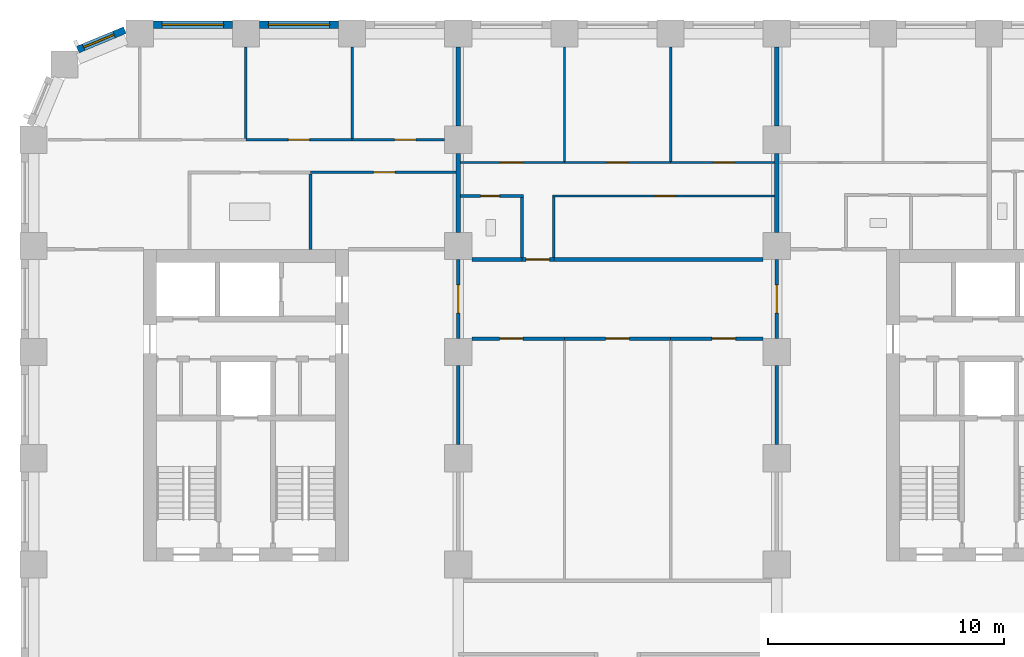
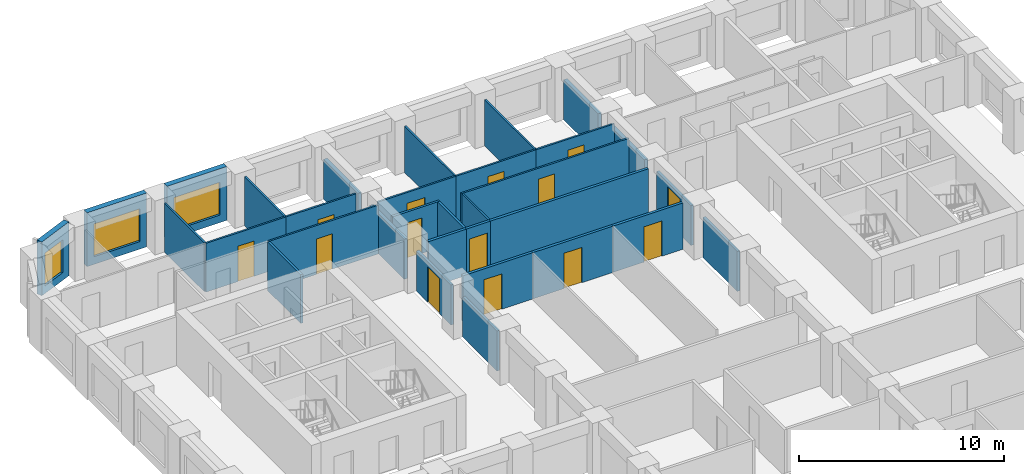
# One storey, part 7 of 13: 32 walls, 14 doors, 3 windows, 17 openings.
"""IFC4 building model written with IfcOpenShell, lengths in metres."""

from ifc_helpers import new_model, si_unit, direction, frame, frame_2d, origin, place, context, subcontext, project, spatial, rectangle, extrude, material, layer, layer_set, type_object, element, fill, save


model = new_model("IFC4")

# Units and contexts
model_context = context("Model", 3, precision=1e-05, world=origin(), true_north=direction((0.0, 1.0)))
body_context = subcontext(model_context, "Body", "Model", "MODEL_VIEW")
ifc_project = project(units=[si_unit("LENGTHUNIT", "METRE"), si_unit("AREAUNIT", "SQUARE_METRE"), si_unit("VOLUMEUNIT", "CUBIC_METRE"), si_unit("PLANEANGLEUNIT", "RADIAN"), si_unit("MASSUNIT", "GRAM", prefix="KILO")], contexts=[model_context])

# Site, building, storey
site_placement = place(None, origin())
site = spatial("IfcSite", under=ifc_project, at=site_placement, CompositionType="ELEMENT")
building_placement = place(site_placement, origin())
building = spatial("IfcBuilding", under=site, at=building_placement, Name="Girih Gate Residences", CompositionType="ELEMENT")
storey_placement = place(building_placement, frame((0.0, 0.0, 96.0)))
storey = spatial("IfcBuildingStorey", under=building, at=storey_placement, Name="L26", CompositionType="ELEMENT", Elevation=96.0)

# Wall
ifc_material_1 = material(Name="Gypsum board on steel studs", Category="steel")
ifc_layer_1 = layer(ifc_material_1, 0.14990234375)
ifc_layer_set_1 = layer_set([ifc_layer_1], Name="Compartment wall 150 mm")
wall_type_1 = type_object("IfcWallType", Name="Compartment wall 150 mm", PredefinedType="PARTITIONING", material=ifc_layer_set_1)
wall_1_placement = place(storey_placement, frame((18.574951171875, 39.925048828125, 0.0), z_axis=(0.0, 0.0, 1.0), x_axis=(1.0, 0.0, 0.0)))
element("IfcWall", 1, at=wall_1_placement, inside=storey, type_object=wall_type_1, Name="L26 partition", PredefinedType="PARTITIONING", context=body_context, shape_type="SweptSolid", body=[
    extrude(rectangle(XDim=2.125, YDim=0.14990234375, at=frame_2d((1.0625, 0.0))), origin(), (0.0, 0.0, 1.0), 2.75),
])

# Wall, opening, door
wall_2_placement = place(storey_placement, frame((20.699951171875, 39.925048828125, 0.0), z_axis=(0.0, 0.0, 1.0), x_axis=(1.0, 0.0, 0.0)))
wall_2 = element("IfcWall", 2, at=wall_2_placement, inside=storey, type_object=wall_type_1, Name="L26 partition", PredefinedType="PARTITIONING", context=body_context, shape_type="SweptSolid", body=[
    extrude(rectangle(XDim=1.35009765625, YDim=0.14990234375, at=frame_2d((0.675048828125, 0.0))), origin(), (0.0, 0.0, 1.0), 2.75),
])
opening_1_placement = place(wall_2_placement, frame((0.175048828125, 0.0, 0.0)))
opening_1 = element("IfcOpeningElement", 3, at=opening_1_placement, cuts=wall_2, Name="Opening A26-040", PredefinedType="OPENING", context=body_context, shape_type="SweptSolid", body=[
    extrude(rectangle(XDim=1.0, YDim=2.10009765625, at=frame_2d((0.5, 1.050048828125))), frame((0.0, 0.0849609375, 0.0), z_axis=(0.0, -1.0, 0.0), x_axis=(1.0, 0.0, 0.0)), (0.0, 0.0, 1.0), 0.169921875),
])
ifc_material_2 = material(Name="Timber, fire-rated core", Category="wood")
door_type_1 = type_object("IfcDoorType", Name="Flat entrance door 1000x2100 FD30S", OperationType="NOTDEFINED", PredefinedType="DOOR", material=ifc_material_2)
door_1_placement = place(opening_1_placement, origin())
door_1 = element("IfcDoor", 4, at=door_1_placement, inside=storey, type_object=door_type_1, Name="Door A26-040", OperationType="SINGLE_SWING_RIGHT", OverallHeight=2.10009765625, OverallWidth=1.0, PredefinedType="DOOR", context=body_context, shape_type="SweptSolid", body=[
    extrude(rectangle(XDim=1.0, YDim=2.10009765625, at=frame_2d((0.5, 1.050048828125))), frame((0.0, 0.02490234375, 0.0), z_axis=(0.0, -1.0, 0.0), x_axis=(1.0, 0.0, 0.0)), (0.0, 0.0, 1.0), 0.050048828125),
])
fill(opening_1, door_1)

# Wall
wall_3_placement = place(storey_placement, frame((22.050048828125, 39.925048828125, 0.0), z_axis=(0.0, 0.0, 1.0), x_axis=(1.0, 0.0, 0.0)))
element("IfcWall", 5, at=wall_3_placement, inside=storey, type_object=wall_type_1, Name="L26 partition", PredefinedType="PARTITIONING", context=body_context, shape_type="SweptSolid", body=[
    extrude(rectangle(XDim=8.875, YDim=0.14990234375, at=frame_2d((4.4375, 0.0))), origin(), (0.0, 0.0, 1.0), 2.75),
])

# Wall, opening, door
wall_4_placement = place(storey_placement, frame((22.5, 36.574951171875, 0.0), z_axis=(0.0, 0.0, 1.0), x_axis=(-1.0, 0.0, 0.0)))
wall_4 = element("IfcWall", 6, at=wall_4_placement, inside=storey, type_object=wall_type_1, Name="L26 partition", PredefinedType="PARTITIONING", context=body_context, shape_type="SweptSolid", body=[
    extrude(rectangle(XDim=3.925048828125, YDim=0.14990234375, at=frame_2d((1.96240234375, 0.0))), origin(), (0.0, 0.0, 1.0), 2.75),
])
opening_2_placement = place(wall_4_placement, frame((1.75, 0.0, 0.0)))
opening_2 = element("IfcOpeningElement", 7, at=opening_2_placement, cuts=wall_4, Name="Opening A26-041", PredefinedType="OPENING", context=body_context, shape_type="SweptSolid", body=[
    extrude(rectangle(XDim=1.0, YDim=2.10009765625, at=frame_2d((0.5, 1.050048828125))), frame((0.0, 0.0849609375, 0.0), z_axis=(0.0, -1.0, 0.0), x_axis=(1.0, 0.0, 0.0)), (0.0, 0.0, 1.0), 0.169921875),
])
door_type_2 = type_object("IfcDoorType", Name="Amenity room door 1000x2100 FD30S", OperationType="NOTDEFINED", PredefinedType="DOOR", material=ifc_material_2)
door_2_placement = place(opening_2_placement, origin())
door_2 = element("IfcDoor", 8, at=door_2_placement, inside=storey, type_object=door_type_2, Name="Door A26-041", OperationType="SINGLE_SWING_RIGHT", OverallHeight=2.10009765625, OverallWidth=1.0, PredefinedType="DOOR", context=body_context, shape_type="SweptSolid", body=[
    extrude(rectangle(XDim=1.0, YDim=2.10009765625, at=frame_2d((0.5, 1.050048828125))), frame((0.0, 0.02490234375, 0.0), z_axis=(0.0, -1.0, 0.0), x_axis=(1.0, 0.0, 0.0)), (0.0, 0.0, 1.0), 0.050048828125),
])
fill(opening_2, door_2)

wall_5_placement = place(storey_placement, frame((27.0, 36.574951171875, 0.0), z_axis=(0.0, 0.0, 1.0), x_axis=(-1.0, 0.0, 0.0)))
wall_5 = element("IfcWall", 9, at=wall_5_placement, inside=storey, type_object=wall_type_1, Name="L26 partition", PredefinedType="PARTITIONING", context=body_context, shape_type="SweptSolid", body=[
    extrude(rectangle(XDim=4.5, YDim=0.14990234375, at=frame_2d((2.25, 0.0))), origin(), (0.0, 0.0, 1.0), 2.75),
])
opening_3_placement = place(wall_5_placement, frame((1.75, 0.0, 0.0)))
opening_3 = element("IfcOpeningElement", 10, at=opening_3_placement, cuts=wall_5, Name="Opening A26-042", PredefinedType="OPENING", context=body_context, shape_type="SweptSolid", body=[
    extrude(rectangle(XDim=1.0, YDim=2.10009765625, at=frame_2d((0.5, 1.050048828125))), frame((0.0, 0.0849609375, 0.0), z_axis=(0.0, -1.0, 0.0), x_axis=(1.0, 0.0, 0.0)), (0.0, 0.0, 1.0), 0.169921875),
])
door_3_placement = place(opening_3_placement, origin())
door_3 = element("IfcDoor", 11, at=door_3_placement, inside=storey, type_object=door_type_2, Name="Door A26-042", OperationType="SINGLE_SWING_RIGHT", OverallHeight=2.10009765625, OverallWidth=1.0, PredefinedType="DOOR", context=body_context, shape_type="SweptSolid", body=[
    extrude(rectangle(XDim=1.0, YDim=2.10009765625, at=frame_2d((0.5, 1.050048828125))), frame((0.0, 0.02490234375, 0.0), z_axis=(0.0, -1.0, 0.0), x_axis=(1.0, 0.0, 0.0)), (0.0, 0.0, 1.0), 0.050048828125),
])
fill(opening_3, door_3)

wall_6_placement = place(storey_placement, frame((30.925048828125, 36.574951171875, 0.0), z_axis=(0.0, 0.0, 1.0), x_axis=(-1.0, 0.0, 0.0)))
wall_6 = element("IfcWall", 12, at=wall_6_placement, inside=storey, type_object=wall_type_1, Name="L26 partition", PredefinedType="PARTITIONING", context=body_context, shape_type="SweptSolid", body=[
    extrude(rectangle(XDim=3.925048828125, YDim=0.14990234375, at=frame_2d((1.96240234375, 0.0))), origin(), (0.0, 0.0, 1.0), 2.75),
])
opening_4_placement = place(wall_6_placement, frame((1.175048828125, 0.0, 0.0)))
opening_4 = element("IfcOpeningElement", 13, at=opening_4_placement, cuts=wall_6, Name="Opening A26-043", PredefinedType="OPENING", context=body_context, shape_type="SweptSolid", body=[
    extrude(rectangle(XDim=1.0, YDim=2.10009765625, at=frame_2d((0.5, 1.050048828125))), frame((0.0, 0.0849609375, 0.0), z_axis=(0.0, -1.0, 0.0), x_axis=(1.0, 0.0, 0.0)), (0.0, 0.0, 1.0), 0.169921875),
])
door_4_placement = place(opening_4_placement, origin())
door_4 = element("IfcDoor", 14, at=door_4_placement, inside=storey, type_object=door_type_2, Name="Door A26-043", OperationType="SINGLE_SWING_LEFT", OverallHeight=2.10009765625, OverallWidth=1.0, PredefinedType="DOOR", context=body_context, shape_type="SweptSolid", body=[
    extrude(rectangle(XDim=1.0, YDim=2.10009765625, at=frame_2d((0.5, 1.050048828125))), frame((0.0, 0.02490234375, 0.0), z_axis=(0.0, -1.0, 0.0), x_axis=(1.0, 0.0, 0.0)), (0.0, 0.0, 1.0), 0.050048828125),
])
fill(opening_4, door_4)

wall_7_placement = place(storey_placement, frame((31.5, 36.574951171875, 0.0), z_axis=(0.0, 0.0, 1.0), x_axis=(0.0, 1.0, 0.0)))
wall_7 = element("IfcWall", 15, at=wall_7_placement, inside=storey, type_object=wall_type_1, Name="L26 partition", PredefinedType="PARTITIONING", context=body_context, shape_type="SweptSolid", body=[
    extrude(rectangle(XDim=3.35009765625, YDim=0.14990234375, at=frame_2d((1.675048828125, 0.0))), origin(), (0.0, 0.0, 1.0), 2.3798828125),
])
opening_5_placement = place(wall_7_placement, frame((1.074951171875, 0.0, 0.0)))
opening_5 = element("IfcOpeningElement", 16, at=opening_5_placement, cuts=wall_7, Name="Opening A26-044", PredefinedType="OPENING", context=body_context, shape_type="SweptSolid", body=[
    extrude(rectangle(XDim=1.199951171875, YDim=2.10009765625, at=frame_2d((0.60009765625, 1.050048828125))), frame((0.0, 0.0849609375, 0.0), z_axis=(0.0, -1.0, 0.0), x_axis=(1.0, 0.0, 0.0)), (0.0, 0.0, 1.0), 0.169921875),
])
door_type_3 = type_object("IfcDoorType", Name="Corridor fire door 1200x2100 FD30S", OperationType="NOTDEFINED", PredefinedType="DOOR", material=ifc_material_2)
door_5_placement = place(opening_5_placement, origin())
door_5 = element("IfcDoor", 17, at=door_5_placement, inside=storey, type_object=door_type_3, Name="Door A26-044", OperationType="SINGLE_SWING_LEFT", OverallHeight=2.10009765625, OverallWidth=1.199951171875, PredefinedType="DOOR", context=body_context, shape_type="SweptSolid", body=[
    extrude(rectangle(XDim=1.199951171875, YDim=2.10009765625, at=frame_2d((0.60009765625, 1.050048828125))), frame((0.0, 0.02490234375, 0.0), z_axis=(0.0, -1.0, 0.0), x_axis=(1.0, 0.0, 0.0)), (0.0, 0.0, 1.0), 0.050048828125),
])
fill(opening_5, door_5)

wall_8_placement = place(storey_placement, frame((18.0, 39.925048828125, 0.0), z_axis=(0.0, 0.0, 1.0), x_axis=(0.0, -1.0, 0.0)))
wall_8 = element("IfcWall", 18, at=wall_8_placement, inside=storey, type_object=wall_type_1, Name="L26 partition", PredefinedType="PARTITIONING", context=body_context, shape_type="SweptSolid", body=[
    extrude(rectangle(XDim=3.35009765625, YDim=0.14990234375, at=frame_2d((1.675048828125, 0.0))), origin(), (0.0, 0.0, 1.0), 2.3798828125),
])
opening_6_placement = place(wall_8_placement, frame((1.074951171875, 0.0, 0.0)))
opening_6 = element("IfcOpeningElement", 19, at=opening_6_placement, cuts=wall_8, Name="Opening A26-045", PredefinedType="OPENING", context=body_context, shape_type="SweptSolid", body=[
    extrude(rectangle(XDim=1.199951171875, YDim=2.10009765625, at=frame_2d((0.60009765625, 1.050048828125))), frame((0.0, 0.0849609375, 0.0), z_axis=(0.0, -1.0, 0.0), x_axis=(1.0, 0.0, 0.0)), (0.0, 0.0, 1.0), 0.169921875),
])
door_6_placement = place(opening_6_placement, origin())
door_6 = element("IfcDoor", 20, at=door_6_placement, inside=storey, type_object=door_type_3, Name="Door A26-045", OperationType="SINGLE_SWING_LEFT", OverallHeight=2.10009765625, OverallWidth=1.199951171875, PredefinedType="DOOR", context=body_context, shape_type="SweptSolid", body=[
    extrude(rectangle(XDim=1.199951171875, YDim=2.10009765625, at=frame_2d((0.60009765625, 1.050048828125))), frame((0.0, 0.02490234375, 0.0), z_axis=(0.0, -1.0, 0.0), x_axis=(1.0, 0.0, 0.0)), (0.0, 0.0, 1.0), 0.050048828125),
])
fill(opening_6, door_6)

# Walls
for number, where, z_axis, x_axis, name in (
    (21, (18.0, 32.074951171875, 0.0), (0.0, 0.0, 1.0), (0.0, 1.0, 0.0), "L26 partition"),
    (22, (31.5, 32.074951171875, 0.0), (0.0, 0.0, 1.0), (0.0, 1.0, 0.0), "L26 partition"),
):
    element("IfcWall", number, at=place(storey_placement, frame(where, z_axis=z_axis, x_axis=x_axis)), inside=storey, type_object=wall_type_1, Name=name, PredefinedType="PARTITIONING", context=body_context, shape_type="SweptSolid", body=[
        extrude(rectangle(XDim=3.35009765625, YDim=0.14990234375, at=frame_2d((1.675048828125, 0.0))), origin(), (0.0, 0.0, 1.0), 2.3798828125),
    ])
ifc_layer_2 = layer(ifc_material_1, 0.10009765625)
ifc_layer_set_2 = layer_set([ifc_layer_2], Name="Partition 100 mm")
wall_type_2 = type_object("IfcWallType", Name="Partition 100 mm", PredefinedType="PARTITIONING", material=ifc_layer_set_2)
for number, where, z_axis, x_axis, name in (
    (23, (9.0, 45.050048828125, 0.0), (0.0, 0.0, 1.0), (0.0, 1.0, 0.0), "L26 partition"),
    (24, (13.5, 45.050048828125, 0.0), (0.0, 0.0, 1.0), (0.0, 1.0, 0.0), "L26 partition"),
):
    element("IfcWall", number, at=place(storey_placement, frame(where, z_axis=z_axis, x_axis=x_axis)), inside=storey, type_object=wall_type_2, Name=name, PredefinedType="PARTITIONING", context=body_context, shape_type="SweptSolid", body=[
        extrude(rectangle(XDim=3.875, YDim=0.10009765625, at=frame_2d((1.9375, 0.0))), origin(), (0.0, 0.0, 1.0), 2.89990234375),
    ])

# Wall, opening, door
wall_9_placement = place(storey_placement, frame((9.0, 45.0, 0.0), z_axis=(0.0, 0.0, 1.0), x_axis=(1.0, 0.0, 0.0)))
wall_9 = element("IfcWall", 25, at=wall_9_placement, inside=storey, type_object=wall_type_2, Name="L26 partition", PredefinedType="PARTITIONING", context=body_context, shape_type="SweptSolid", body=[
    extrude(rectangle(XDim=4.5, YDim=0.10009765625, at=frame_2d((2.25, 0.0))), origin(), (0.0, 0.0, 1.0), 2.89990234375),
])
opening_7_placement = place(wall_9_placement, frame((1.800048828125, 0.0, 0.0)))
opening_7 = element("IfcOpeningElement", 26, at=opening_7_placement, cuts=wall_9, Name="Opening A26-010", PredefinedType="OPENING", context=body_context, shape_type="SweptSolid", body=[
    extrude(rectangle(XDim=0.89990234375, YDim=2.10009765625, at=frame_2d((0.449951171875, 1.050048828125))), frame((0.0, 0.06005859375, 0.0), z_axis=(0.0, -1.0, 0.0), x_axis=(1.0, 0.0, 0.0)), (0.0, 0.0, 1.0), 0.1201171875),
])
ifc_material_3 = material(Name="Timber", Category="wood")
door_type_4 = type_object("IfcDoorType", Name="Bedroom door 900x2100", OperationType="NOTDEFINED", PredefinedType="DOOR", material=ifc_material_3)
door_7_placement = place(opening_7_placement, origin())
door_7 = element("IfcDoor", 27, at=door_7_placement, inside=storey, type_object=door_type_4, Name="Door A26-010", OperationType="SINGLE_SWING_LEFT", OverallHeight=2.10009765625, OverallWidth=0.89990234375, PredefinedType="DOOR", context=body_context, shape_type="SweptSolid", body=[
    extrude(rectangle(XDim=0.89990234375, YDim=2.10009765625, at=frame_2d((0.449951171875, 1.050048828125))), frame((0.0, 0.02490234375, 0.0), z_axis=(0.0, -1.0, 0.0), x_axis=(1.0, 0.0, 0.0)), (0.0, 0.0, 1.0), 0.050048828125),
])
fill(opening_7, door_7)

wall_10_placement = place(storey_placement, frame((13.5, 45.0, 0.0), z_axis=(0.0, 0.0, 1.0), x_axis=(1.0, 0.0, 0.0)))
wall_10 = element("IfcWall", 28, at=wall_10_placement, inside=storey, type_object=wall_type_2, Name="L26 partition", PredefinedType="PARTITIONING", context=body_context, shape_type="SweptSolid", body=[
    extrude(rectangle(XDim=3.925048828125, YDim=0.10009765625, at=frame_2d((1.96240234375, 0.0))), origin(), (0.0, 0.0, 1.0), 2.89990234375),
])
opening_8_placement = place(wall_10_placement, frame((1.800048828125, 0.0, 0.0)))
opening_8 = element("IfcOpeningElement", 29, at=opening_8_placement, cuts=wall_10, Name="Opening A26-011", PredefinedType="OPENING", context=body_context, shape_type="SweptSolid", body=[
    extrude(rectangle(XDim=0.89990234375, YDim=2.10009765625, at=frame_2d((0.449951171875, 1.050048828125))), frame((0.0, 0.06005859375, 0.0), z_axis=(0.0, -1.0, 0.0), x_axis=(1.0, 0.0, 0.0)), (0.0, 0.0, 1.0), 0.1201171875),
])
door_8_placement = place(opening_8_placement, origin())
door_8 = element("IfcDoor", 30, at=door_8_placement, inside=storey, type_object=door_type_4, Name="Door A26-011", OperationType="SINGLE_SWING_RIGHT", OverallHeight=2.10009765625, OverallWidth=0.89990234375, PredefinedType="DOOR", context=body_context, shape_type="SweptSolid", body=[
    extrude(rectangle(XDim=0.89990234375, YDim=2.10009765625, at=frame_2d((0.449951171875, 1.050048828125))), frame((0.0, 0.02490234375, 0.0), z_axis=(0.0, -1.0, 0.0), x_axis=(1.0, 0.0, 0.0)), (0.0, 0.0, 1.0), 0.050048828125),
])
fill(opening_8, door_8)

wall_11_placement = place(storey_placement, frame((17.89990234375, 43.6201171875, 0.0), z_axis=(0.0, 0.0, 1.0), x_axis=(-1.0, 0.0, 0.0)))
wall_11 = element("IfcWall", 31, at=wall_11_placement, inside=storey, type_object=wall_type_2, Name="L26 partition", PredefinedType="PARTITIONING", context=body_context, shape_type="SweptSolid", body=[
    extrude(rectangle(XDim=6.171875, YDim=0.10009765625, at=frame_2d((3.0859375, 0.0))), origin(), (0.0, 0.0, 1.0), 2.89990234375),
])
opening_9_placement = place(wall_11_placement, frame((2.5859375, 0.0, 0.0)))
opening_9 = element("IfcOpeningElement", 32, at=opening_9_placement, cuts=wall_11, Name="Opening A26-012", PredefinedType="OPENING", context=body_context, shape_type="SweptSolid", body=[
    extrude(rectangle(XDim=0.89990234375, YDim=2.10009765625, at=frame_2d((0.449951171875, 1.050048828125))), frame((0.0, 0.06005859375, 0.0), z_axis=(0.0, -1.0, 0.0), x_axis=(1.0, 0.0, 0.0)), (0.0, 0.0, 1.0), 0.1201171875),
])
door_type_5 = type_object("IfcDoorType", Name="Kitchen door 900x2100", OperationType="NOTDEFINED", PredefinedType="DOOR", material=ifc_material_3)
door_9_placement = place(opening_9_placement, origin())
door_9 = element("IfcDoor", 33, at=door_9_placement, inside=storey, type_object=door_type_5, Name="Door A26-012", OperationType="SINGLE_SWING_LEFT", OverallHeight=2.10009765625, OverallWidth=0.89990234375, PredefinedType="DOOR", context=body_context, shape_type="SweptSolid", body=[
    extrude(rectangle(XDim=0.89990234375, YDim=2.10009765625, at=frame_2d((0.449951171875, 1.050048828125))), frame((0.0, 0.02490234375, 0.0), z_axis=(0.0, -1.0, 0.0), x_axis=(1.0, 0.0, 0.0)), (0.0, 0.0, 1.0), 0.050048828125),
])
fill(opening_9, door_9)

# Wall
wall_12_placement = place(storey_placement, frame((27.0, 44.0849609375, 0.0), z_axis=(0.0, 0.0, 1.0), x_axis=(0.0, 1.0, 0.0)))
element("IfcWall", 34, at=wall_12_placement, inside=storey, type_object=wall_type_2, Name="L26 partition", PredefinedType="PARTITIONING", context=body_context, shape_type="SweptSolid", body=[
    extrude(rectangle(XDim=4.840087890625, YDim=0.10009765625, at=frame_2d((2.419921875, 0.0))), origin(), (0.0, 0.0, 1.0), 2.75),
])

# Wall, opening, door
wall_13_placement = place(storey_placement, frame((22.5, 44.034912109375, 0.0), z_axis=(0.0, 0.0, 1.0), x_axis=(1.0, 0.0, 0.0)))
wall_13 = element("IfcWall", 35, at=wall_13_placement, inside=storey, type_object=wall_type_2, Name="L26 partition", PredefinedType="PARTITIONING", context=body_context, shape_type="SweptSolid", body=[
    extrude(rectangle(XDim=4.5, YDim=0.10009765625, at=frame_2d((2.25, 0.0))), origin(), (0.0, 0.0, 1.0), 2.75),
])
opening_10_placement = place(wall_13_placement, frame((1.800048828125, 0.0, 0.0)))
opening_10 = element("IfcOpeningElement", 36, at=opening_10_placement, cuts=wall_13, Name="Opening A26-036", PredefinedType="OPENING", context=body_context, shape_type="SweptSolid", body=[
    extrude(rectangle(XDim=0.89990234375, YDim=2.10009765625, at=frame_2d((0.449951171875, 1.050048828125))), frame((0.0, 0.06005859375, 0.0), z_axis=(0.0, -1.0, 0.0), x_axis=(1.0, 0.0, 0.0)), (0.0, 0.0, 1.0), 0.1201171875),
])
door_10_placement = place(opening_10_placement, origin())
door_10 = element("IfcDoor", 37, at=door_10_placement, inside=storey, type_object=door_type_4, Name="Door A26-036", OperationType="SINGLE_SWING_LEFT", OverallHeight=2.10009765625, OverallWidth=0.89990234375, PredefinedType="DOOR", context=body_context, shape_type="SweptSolid", body=[
    extrude(rectangle(XDim=0.89990234375, YDim=2.10009765625, at=frame_2d((0.449951171875, 1.050048828125))), frame((0.0, 0.02490234375, 0.0), z_axis=(0.0, -1.0, 0.0), x_axis=(1.0, 0.0, 0.0)), (0.0, 0.0, 1.0), 0.050048828125),
])
fill(opening_10, door_10)

# Wall
wall_14_placement = place(storey_placement, frame((22.5, 44.0849609375, 0.0), z_axis=(0.0, 0.0, 1.0), x_axis=(0.0, 1.0, 0.0)))
element("IfcWall", 38, at=wall_14_placement, inside=storey, type_object=wall_type_2, Name="L26 partition", PredefinedType="PARTITIONING", context=body_context, shape_type="SweptSolid", body=[
    extrude(rectangle(XDim=4.840087890625, YDim=0.10009765625, at=frame_2d((2.419921875, 0.0))), origin(), (0.0, 0.0, 1.0), 2.75),
])

# Wall, opening, door
wall_15_placement = place(storey_placement, frame((27.0, 44.034912109375, 0.0), z_axis=(0.0, 0.0, 1.0), x_axis=(1.0, 0.0, 0.0)))
wall_15 = element("IfcWall", 39, at=wall_15_placement, inside=storey, type_object=wall_type_2, Name="L26 partition", PredefinedType="PARTITIONING", context=body_context, shape_type="SweptSolid", body=[
    extrude(rectangle(XDim=4.39990234375, YDim=0.10009765625, at=frame_2d((2.199951171875, 0.0))), origin(), (0.0, 0.0, 1.0), 2.75),
])
opening_11_placement = place(wall_15_placement, frame((1.800048828125, 0.0, 0.0)))
opening_11 = element("IfcOpeningElement", 40, at=opening_11_placement, cuts=wall_15, Name="Opening A26-037", PredefinedType="OPENING", context=body_context, shape_type="SweptSolid", body=[
    extrude(rectangle(XDim=0.89990234375, YDim=2.10009765625, at=frame_2d((0.449951171875, 1.050048828125))), frame((0.0, 0.06005859375, 0.0), z_axis=(0.0, -1.0, 0.0), x_axis=(1.0, 0.0, 0.0)), (0.0, 0.0, 1.0), 0.1201171875),
])
door_11_placement = place(opening_11_placement, origin())
door_11 = element("IfcDoor", 41, at=door_11_placement, inside=storey, type_object=door_type_4, Name="Door A26-037", OperationType="SINGLE_SWING_RIGHT", OverallHeight=2.10009765625, OverallWidth=0.89990234375, PredefinedType="DOOR", context=body_context, shape_type="SweptSolid", body=[
    extrude(rectangle(XDim=0.89990234375, YDim=2.10009765625, at=frame_2d((0.449951171875, 1.050048828125))), frame((0.0, 0.02490234375, 0.0), z_axis=(0.0, -1.0, 0.0), x_axis=(1.0, 0.0, 0.0)), (0.0, 0.0, 1.0), 0.050048828125),
])
fill(opening_11, door_11)

wall_16_placement = place(storey_placement, frame((31.39990234375, 42.614990234375, 0.0), z_axis=(0.0, 0.0, 1.0), x_axis=(-1.0, 0.0, 0.0)))
wall_16 = element("IfcWall", 42, at=wall_16_placement, inside=storey, type_object=wall_type_2, Name="L26 partition", PredefinedType="PARTITIONING", context=body_context, shape_type="SweptSolid", body=[
    extrude(rectangle(XDim=9.39990234375, YDim=0.10009765625, at=frame_2d((4.699951171875, 0.0))), origin(), (0.0, 0.0, 1.0), 2.75),
])
opening_12_placement = place(wall_16_placement, frame((4.175048828125, 0.0, 0.0)))
opening_12 = element("IfcOpeningElement", 43, at=opening_12_placement, cuts=wall_16, Name="Opening A26-038", PredefinedType="OPENING", context=body_context, shape_type="SweptSolid", body=[
    extrude(rectangle(XDim=0.89990234375, YDim=2.10009765625, at=frame_2d((0.449951171875, 1.050048828125))), frame((0.0, 0.06005859375, 0.0), z_axis=(0.0, -1.0, 0.0), x_axis=(1.0, 0.0, 0.0)), (0.0, 0.0, 1.0), 0.1201171875),
])
door_12_placement = place(opening_12_placement, origin())
door_12 = element("IfcDoor", 44, at=door_12_placement, inside=storey, type_object=door_type_5, Name="Door A26-038", OperationType="SINGLE_SWING_LEFT", OverallHeight=2.10009765625, OverallWidth=0.89990234375, PredefinedType="DOOR", context=body_context, shape_type="SweptSolid", body=[
    extrude(rectangle(XDim=0.89990234375, YDim=2.10009765625, at=frame_2d((0.449951171875, 1.050048828125))), frame((0.0, 0.02490234375, 0.0), z_axis=(0.0, -1.0, 0.0), x_axis=(1.0, 0.0, 0.0)), (0.0, 0.0, 1.0), 0.050048828125),
])
fill(opening_12, door_12)

# Wall
wall_17_placement = place(storey_placement, frame((22.050048828125, 40.0, 0.0), z_axis=(0.0, 0.0, 1.0), x_axis=(0.0, 1.0, 0.0)))
element("IfcWall", 45, at=wall_17_placement, inside=storey, type_object=wall_type_2, Name="L26 partition", PredefinedType="PARTITIONING", context=body_context, shape_type="SweptSolid", body=[
    extrude(rectangle(XDim=2.56494140625, YDim=0.10009765625, at=frame_2d((1.282470703125, 0.0))), origin(), (0.0, 0.0, 1.0), 2.75),
])

# Wall, opening, door
wall_18_placement = place(storey_placement, frame((18.10009765625, 44.034912109375, 0.0), z_axis=(0.0, 0.0, 1.0), x_axis=(1.0, 0.0, 0.0)))
wall_18 = element("IfcWall", 46, at=wall_18_placement, inside=storey, type_object=wall_type_2, Name="L26 partition", PredefinedType="PARTITIONING", context=body_context, shape_type="SweptSolid", body=[
    extrude(rectangle(XDim=4.39990234375, YDim=0.10009765625, at=frame_2d((2.199951171875, 0.0))), origin(), (0.0, 0.0, 1.0), 2.75),
])
opening_13_placement = place(wall_18_placement, frame((1.64990234375, 0.0, 0.0)))
opening_13 = element("IfcOpeningElement", 47, at=opening_13_placement, cuts=wall_18, Name="Opening A26-039", PredefinedType="OPENING", context=body_context, shape_type="SweptSolid", body=[
    extrude(rectangle(XDim=1.0, YDim=2.10009765625, at=frame_2d((0.5, 1.050048828125))), frame((0.0, 0.06005859375, 0.0), z_axis=(0.0, -1.0, 0.0), x_axis=(1.0, 0.0, 0.0)), (0.0, 0.0, 1.0), 0.1201171875),
])
door_type_6 = type_object("IfcDoorType", Name="Living room door 1000x2100", OperationType="NOTDEFINED", PredefinedType="DOOR", material=ifc_material_3)
door_13_placement = place(opening_13_placement, origin())
door_13 = element("IfcDoor", 48, at=door_13_placement, inside=storey, type_object=door_type_6, Name="Door A26-039", OperationType="SINGLE_SWING_LEFT", OverallHeight=2.10009765625, OverallWidth=1.0, PredefinedType="DOOR", context=body_context, shape_type="SweptSolid", body=[
    extrude(rectangle(XDim=1.0, YDim=2.10009765625, at=frame_2d((0.5, 1.050048828125))), frame((0.0, 0.02490234375, 0.0), z_axis=(0.0, -1.0, 0.0), x_axis=(1.0, 0.0, 0.0)), (0.0, 0.0, 1.0), 0.050048828125),
])
fill(opening_13, door_13)

# Walls
ifc_layer_3 = layer(ifc_material_1, 0.199951171875)
ifc_layer_set_3 = layer_set([ifc_layer_3], Name="Party wall 200 mm")
wall_type_3 = type_object("IfcWallType", Name="Party wall 200 mm", PredefinedType="PARTITIONING", material=ifc_layer_set_3)
for number, where, z_axis, x_axis, name in (
    (49, (18.0, 45.574951171875, 0.0), (0.0, 0.0, 1.0), (0.0, 1.0, 0.0), "L26 partition"),
    (50, (18.0, 41.074951171875, 0.0), (0.0, 0.0, 1.0), (0.0, 1.0, 0.0), "L26 partition"),
    (51, (31.5, 41.074951171875, 0.0), (0.0, 0.0, 1.0), (0.0, 1.0, 0.0), "L26 partition"),
    (52, (31.5, 45.574951171875, 0.0), (0.0, 0.0, 1.0), (0.0, 1.0, 0.0), "L26 partition"),
):
    element("IfcWall", number, at=place(storey_placement, frame(where, z_axis=z_axis, x_axis=x_axis)), inside=storey, type_object=wall_type_3, Name=name, PredefinedType="PARTITIONING", context=body_context, shape_type="SweptSolid", body=[
        extrude(rectangle(XDim=3.35009765625, YDim=0.199951171875, at=frame_2d((1.675048828125, 0.0))), origin(), (0.0, 0.0, 1.0), 2.3798828125),
    ])

# Wall, opening, window
ifc_material_4 = material(Name="Precast concrete C50/60", Category="concrete")
ifc_layer_4 = layer(ifc_material_4, 0.080078125, Name="Outer leaf")
ifc_material_5 = material(Name="Rigid PIR insulation")
ifc_layer_5 = layer(ifc_material_5, 0.14990234375, Name="Insulation")
ifc_material_6 = material(Name="Precast concrete C40/50", Category="concrete")
ifc_layer_6 = layer(ifc_material_6, 0.070068359375, Name="Inner leaf")
ifc_layer_set_4 = layer_set([ifc_layer_4, ifc_layer_5, ifc_layer_6], Name="Precast concrete C50/60 external wall 300")
wall_type_4 = type_object("IfcWallType", Name="Precast concrete C50/60 external wall 300", PredefinedType="SOLIDWALL", material=ifc_layer_set_4)
wall_19_placement = place(storey_placement, frame((9.574951171875, 49.875, 0.0), z_axis=(0.0, 0.0, 1.0), x_axis=(1.0, 0.0, 0.0)))
wall_19 = element("IfcWall", 53, at=wall_19_placement, inside=storey, type_object=wall_type_4, Name="External wall N0450_0495.7", PredefinedType="SOLIDWALL", context=body_context, shape_type="SweptSolid", body=[
    extrude(rectangle(XDim=3.35009765625, YDim=0.300048828125, at=frame_2d((1.675048828125, 0.0))), origin(), (0.0, 0.0, 1.0), 3.199951171875),
])
opening_14_placement = place(wall_19_placement, frame((0.375, 0.0, 0.449951171875)))
opening_14 = element("IfcOpeningElement", 54, at=opening_14_placement, cuts=wall_19, Name="Opening W-1A", PredefinedType="OPENING", context=body_context, shape_type="SweptSolid", body=[
    extrude(rectangle(XDim=2.60009765625, YDim=1.949951171875, at=frame_2d((1.300048828125, 0.97509765625))), frame((0.0, 0.159912109375, 0.0), z_axis=(0.0, -1.0, 0.0), x_axis=(1.0, 0.0, 0.0)), (0.0, 0.0, 1.0), 0.320068359375),
])
ifc_material_7 = material(Name="Double glazing in aluminium frame", Category="aluminium")
window_type_1 = type_object("IfcWindowType", Name="Window W-1A 2600x1950", PartitioningType="SINGLE_PANEL", PredefinedType="WINDOW", material=ifc_material_7)
window_1_placement = place(opening_14_placement, origin())
window_1 = element("IfcWindow", 55, at=window_1_placement, inside=storey, type_object=window_type_1, Name="Window W-1A N0450_0495.7", OverallHeight=1.949951171875, OverallWidth=2.60009765625, PartitioningType="SINGLE_PANEL", PredefinedType="WINDOW", context=body_context, shape_type="SweptSolid", body=[
    extrude(rectangle(XDim=2.60009765625, YDim=1.949951171875, at=frame_2d((1.300048828125, 0.97509765625))), frame((0.0, 0.030029296875, 0.0), z_axis=(0.0, -1.0, 0.0), x_axis=(1.0, 0.0, 0.0)), (0.0, 0.0, 1.0), 0.06005859375),
])
fill(opening_14, window_1)

wall_20_placement = place(storey_placement, frame((5.074951171875, 49.875, 0.0), z_axis=(0.0, 0.0, 1.0), x_axis=(1.0, 0.0, 0.0)))
wall_20 = element("IfcWall", 56, at=wall_20_placement, inside=storey, type_object=wall_type_4, Name="External wall N0450_0495.8", PredefinedType="SOLIDWALL", context=body_context, shape_type="SweptSolid", body=[
    extrude(rectangle(XDim=3.35009765625, YDim=0.300048828125, at=frame_2d((1.675048828125, 0.0))), origin(), (0.0, 0.0, 1.0), 3.199951171875),
])
opening_15_placement = place(wall_20_placement, frame((0.375, 0.0, 0.449951171875)))
opening_15 = element("IfcOpeningElement", 57, at=opening_15_placement, cuts=wall_20, Name="Opening W-1A", PredefinedType="OPENING", context=body_context, shape_type="SweptSolid", body=[
    extrude(rectangle(XDim=2.60009765625, YDim=1.949951171875, at=frame_2d((1.300048828125, 0.97509765625))), frame((0.0, 0.159912109375, 0.0), z_axis=(0.0, -1.0, 0.0), x_axis=(1.0, 0.0, 0.0)), (0.0, 0.0, 1.0), 0.320068359375),
])
window_2_placement = place(opening_15_placement, origin())
window_2 = element("IfcWindow", 58, at=window_2_placement, inside=storey, type_object=window_type_1, Name="Window W-1A N0450_0495.8", OverallHeight=1.949951171875, OverallWidth=2.60009765625, PartitioningType="SINGLE_PANEL", PredefinedType="WINDOW", context=body_context, shape_type="SweptSolid", body=[
    extrude(rectangle(XDim=2.60009765625, YDim=1.949951171875, at=frame_2d((1.300048828125, 0.97509765625))), frame((0.0, 0.030029296875, 0.0), z_axis=(0.0, -1.0, 0.0), x_axis=(1.0, 0.0, 0.0)), (0.0, 0.0, 1.0), 0.06005859375),
])
fill(opening_15, window_2)

wall_21_placement = place(storey_placement, frame((1.86865234375, 48.81591796875, 0.0), z_axis=(0.0, 0.0, 1.0), x_axis=(0.923862802911, 0.382723818695, 0.0)))
wall_21 = element("IfcWall", 59, at=wall_21_placement, inside=storey, type_object=wall_type_4, Name="External wall NW0045_0495.0", PredefinedType="SOLIDWALL", context=body_context, shape_type="SweptSolid", body=[
    extrude(rectangle(XDim=2.163818359375, YDim=0.300048828125, at=frame_2d((1.08203125, 0.0))), origin(), (0.0, 0.0, 1.0), 3.199951171875),
])
opening_16_placement = place(wall_21_placement, frame((0.270751953125, 0.0, 0.449951171875)))
opening_16 = element("IfcOpeningElement", 60, at=opening_16_placement, cuts=wall_21, Name="Opening W-2D", PredefinedType="OPENING", context=body_context, shape_type="SweptSolid", body=[
    extrude(rectangle(XDim=1.39990234375, YDim=1.949951171875, at=frame_2d((0.699951171875, 0.97509765625))), frame((0.0, 0.159912109375, 0.0), z_axis=(0.0, -1.0, 0.0), x_axis=(1.0, 0.0, 0.0)), (0.0, 0.0, 1.0), 0.320068359375),
])
window_type_2 = type_object("IfcWindowType", Name="Window W-2D 1400x1950", PartitioningType="SINGLE_PANEL", PredefinedType="WINDOW", material=ifc_material_7)
window_3_placement = place(opening_16_placement, origin())
window_3 = element("IfcWindow", 61, at=window_3_placement, inside=storey, type_object=window_type_2, Name="Window W-2D NW0045_0495.0", OverallHeight=1.949951171875, OverallWidth=1.39990234375, PartitioningType="SINGLE_PANEL", PredefinedType="WINDOW", context=body_context, shape_type="SweptSolid", body=[
    extrude(rectangle(XDim=1.39990234375, YDim=1.949951171875, at=frame_2d((0.699951171875, 0.97509765625))), frame((0.0, 0.030029296875, 0.0), z_axis=(0.0, -1.0, 0.0), x_axis=(1.0, 0.0, 0.0)), (0.0, 0.0, 1.0), 0.06005859375),
])
fill(opening_16, window_3)

# Wall
ifc_layer_7 = layer(ifc_material_1, 0.125)
ifc_layer_set_5 = layer_set([ifc_layer_7], Name="Wet room wall 125 mm")
wall_type_5 = type_object("IfcWallType", Name="Wet room wall 125 mm", PredefinedType="PARTITIONING", material=ifc_layer_set_5)
wall_22_placement = place(storey_placement, frame((11.72802734375, 40.35009765625, 0.0), z_axis=(0.0, 0.0, 1.0), x_axis=(0.0, 1.0, 0.0)))
element("IfcWall", 62, at=wall_22_placement, inside=storey, type_object=wall_type_5, Name="L26 partition", PredefinedType="PARTITIONING", context=body_context, shape_type="SweptSolid", body=[
    extrude(rectangle(XDim=3.20751953125, YDim=0.125, at=frame_2d((1.603759765625, 0.0))), origin(), (0.0, 0.0, 1.0), 2.89990234375),
])

# Wall, opening, door
wall_23_placement = place(storey_placement, frame((20.762451171875, 42.614990234375, 0.0), z_axis=(0.0, 0.0, 1.0), x_axis=(-1.0, 0.0, 0.0)))
wall_23 = element("IfcWall", 63, at=wall_23_placement, inside=storey, type_object=wall_type_5, Name="L26 partition", PredefinedType="PARTITIONING", context=body_context, shape_type="SweptSolid", body=[
    extrude(rectangle(XDim=2.662353515625, YDim=0.125, at=frame_2d((1.3310546875, 0.0))), origin(), (0.0, 0.0, 1.0), 2.75),
])
opening_17_placement = place(wall_23_placement, frame((1.012451171875, 0.0, 0.0)))
opening_17 = element("IfcOpeningElement", 64, at=opening_17_placement, cuts=wall_23, Name="Opening A26-035", PredefinedType="OPENING", context=body_context, shape_type="SweptSolid", body=[
    extrude(rectangle(XDim=0.800048828125, YDim=2.10009765625, at=frame_2d((0.39990234375, 1.050048828125))), frame((0.0, 0.072509765625, 0.0), z_axis=(0.0, -1.0, 0.0), x_axis=(1.0, 0.0, 0.0)), (0.0, 0.0, 1.0), 0.14501953125),
])
door_type_7 = type_object("IfcDoorType", Name="Bathroom door 800x2100", OperationType="NOTDEFINED", PredefinedType="DOOR", material=ifc_material_3)
door_14_placement = place(opening_17_placement, origin())
door_14 = element("IfcDoor", 65, at=door_14_placement, inside=storey, type_object=door_type_7, Name="Door A26-035", OperationType="SINGLE_SWING_RIGHT", OverallHeight=2.10009765625, OverallWidth=0.800048828125, PredefinedType="DOOR", context=body_context, shape_type="SweptSolid", body=[
    extrude(rectangle(XDim=0.800048828125, YDim=2.10009765625, at=frame_2d((0.39990234375, 1.050048828125))), frame((0.0, 0.02490234375, 0.0), z_axis=(0.0, -1.0, 0.0), x_axis=(1.0, 0.0, 0.0)), (0.0, 0.0, 1.0), 0.050048828125),
])
fill(opening_17, door_14)

# Wall
wall_24_placement = place(storey_placement, frame((20.699951171875, 40.0, 0.0), z_axis=(0.0, 0.0, 1.0), x_axis=(0.0, 1.0, 0.0)))
element("IfcWall", 66, at=wall_24_placement, inside=storey, type_object=wall_type_5, Name="L26 partition", PredefinedType="PARTITIONING", context=body_context, shape_type="SweptSolid", body=[
    extrude(rectangle(XDim=2.552490234375, YDim=0.125, at=frame_2d((1.2763671875, 0.0))), origin(), (0.0, 0.0, 1.0), 2.75),
])

save(model, "model.ifc")
